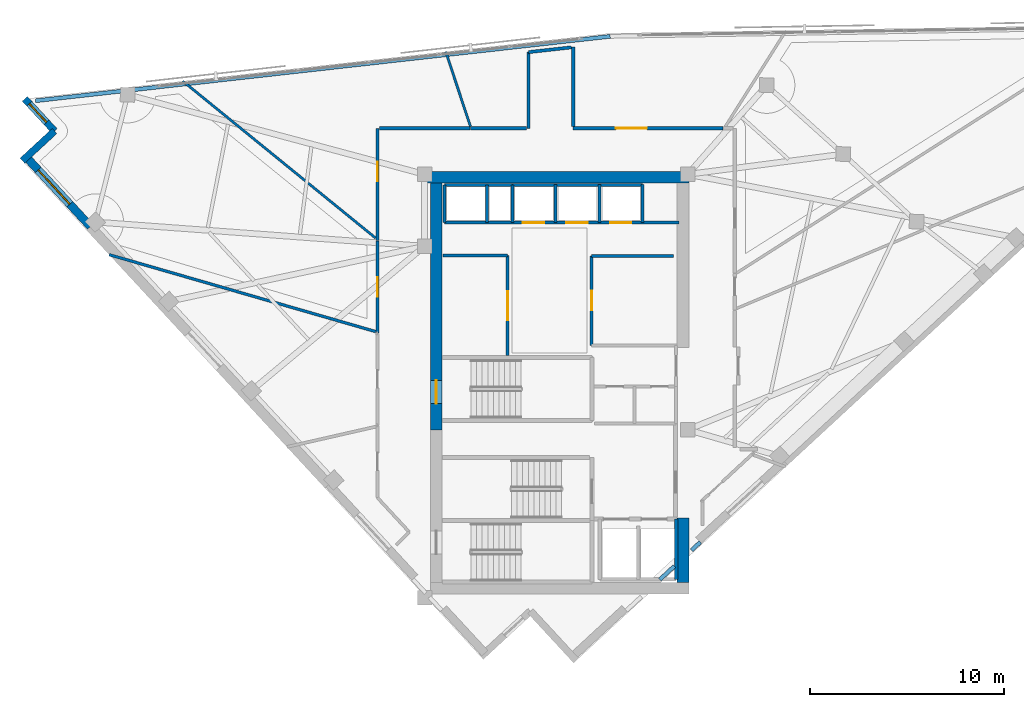
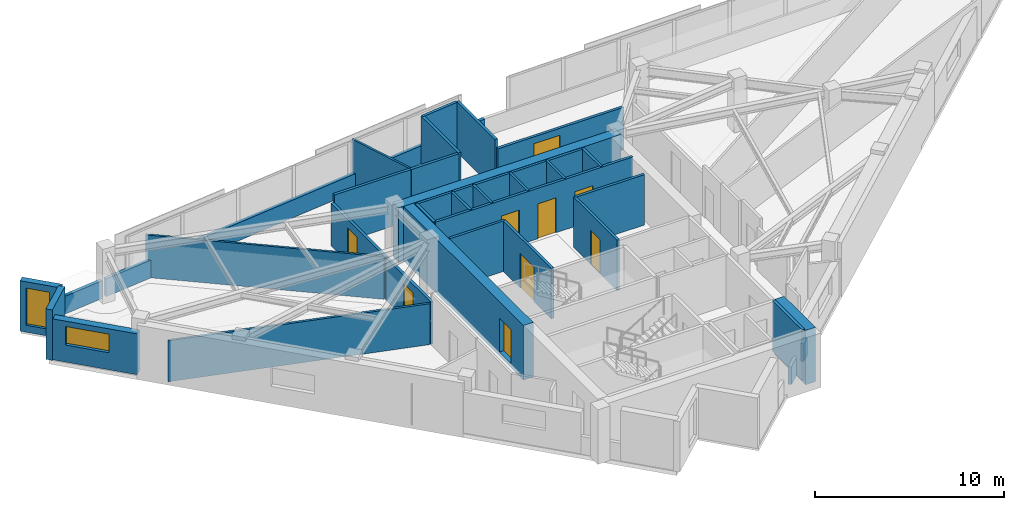
# One storey, part 9 of 13: 35 walls, 9 doors, 2 windows, 11 openings.
"""IFC4 building model written with IfcOpenShell, lengths in metres."""

from ifc_helpers import new_model, si_unit, direction, frame, frame_2d, origin, place, context, subcontext, project, spatial, rectangle, extrude, material, layer, layer_set, type_object, element, fill, save


model = new_model("IFC4")

# Units and contexts
model_context = context("Model", 3, precision=1e-05, world=origin(), true_north=direction((0.0, 1.0)))
body_context = subcontext(model_context, "Body", "Model", "MODEL_VIEW")
ifc_project = project(units=[si_unit("LENGTHUNIT", "METRE"), si_unit("AREAUNIT", "SQUARE_METRE"), si_unit("VOLUMEUNIT", "CUBIC_METRE"), si_unit("PLANEANGLEUNIT", "RADIAN"), si_unit("MASSUNIT", "GRAM", prefix="KILO")], contexts=[model_context])

# Site, building, storey
site_placement = place(None, origin())
site = spatial("IfcSite", under=ifc_project, at=site_placement, CompositionType="ELEMENT")
building_placement = place(site_placement, origin())
building = spatial("IfcBuilding", under=site, at=building_placement, Name="Narakoshi Arena Tower", CompositionType="ELEMENT")
storey_placement = place(building_placement, frame((0.0, 0.0, 281.860107421875)))
storey = spatial("IfcBuildingStorey", under=building, at=storey_placement, Name="L77", CompositionType="ELEMENT", Elevation=281.860107421875)

# Wall
ifc_material_1 = material(Name="Concrete C50/60", Category="concrete")
ifc_layer_1 = layer(ifc_material_1, 0.60009765625)
ifc_layer_set_1 = layer_set([ifc_layer_1], Name="Concrete C50/60")
wall_type_1 = type_object("IfcWallType", Name="WL-CORE-600", PredefinedType="SHEAR", material=ifc_layer_set_1)
wall_1_placement = place(storey_placement, frame((85.300048828125, 35.5, -0.260009765625), z_axis=(0.0, 0.0, 1.0), x_axis=(0.0, 1.0, 0.0)))
element("IfcWall", 1, at=wall_1_placement, inside=storey, type_object=wall_type_1, Name="L77 Central Core Shear Wall CW-APX-E", PredefinedType="SHEAR", context=body_context, shape_type="SweptSolid", body=[
    extrude(rectangle(XDim=3.300048828125, YDim=0.60009765625, at=frame_2d((1.64990234375, 0.0))), origin(), (0.0, 0.0, 1.0), 3.52001953125),
])

# Wall, opening, door
wall_2_placement = place(storey_placement, frame((72.60009765625, 43.35009765625, -0.260009765625), z_axis=(0.0, 0.0, 1.0), x_axis=(0.0, 1.0, 0.0)))
wall_2 = element("IfcWall", 2, at=wall_2_placement, inside=storey, type_object=wall_type_1, Name="L77 Main Core Shear Wall CW-MN-W", PredefinedType="SHEAR", context=body_context, shape_type="SweptSolid", body=[
    extrude(rectangle(XDim=12.699951171875, YDim=0.60009765625, at=frame_2d((6.35009765625, 0.0))), origin(), (0.0, 0.0, 1.0), 3.52001953125),
])
opening_1_placement = place(wall_2_placement, frame((1.35009765625, 0.0, 0.260009765625)))
opening_1 = element("IfcOpeningElement", 3, at=opening_1_placement, cuts=wall_2, Name="Opening D-03", PredefinedType="OPENING", context=body_context, shape_type="SweptSolid", body=[
    extrude(rectangle(XDim=1.199951171875, YDim=2.199951171875, at=frame_2d((0.60009765625, 1.10009765625))), frame((0.0, 0.31005859375, 0.0), z_axis=(0.0, -1.0, 0.0), x_axis=(1.0, 0.0, 0.0)), (0.0, 0.0, 1.0), 0.6201171875),
])
ifc_material_2 = material(Name="Painted galvanized steel", Category="steel")
door_type_1 = type_object("IfcDoorType", Name="DR-STR-1200", OperationType="NOTDEFINED", PredefinedType="USERDEFINED", material=ifc_material_2)
door_1_placement = place(opening_1_placement, frame((1.199951171875, 0.0, 0.0), z_axis=(0.0, 0.0, 1.0), x_axis=(-1.0, 0.0, 0.0)))
door_1 = element("IfcDoor", 4, at=door_1_placement, inside=storey, type_object=door_type_1, Name="DR-L77-006", ObjectType="EXITDOOR", OperationType="SINGLE_SWING_LEFT", OverallHeight=2.199951171875, OverallWidth=1.199951171875, PredefinedType="USERDEFINED", context=body_context, shape_type="SweptSolid", body=[
    extrude(rectangle(XDim=1.199951171875, YDim=2.199951171875, at=frame_2d((0.60009765625, 1.10009765625))), frame((0.0, 0.02490234375, 0.0), z_axis=(0.0, -1.0, 0.0), x_axis=(1.0, 0.0, 0.0)), (0.0, 0.0, 1.0), 0.050048828125),
])
fill(opening_1, door_1)

# Wall
wall_3_placement = place(storey_placement, frame((72.0, 56.35009765625, -0.260009765625), z_axis=(0.0, 0.0, 1.0), x_axis=(1.0, 0.0, 0.0)))
element("IfcWall", 5, at=wall_3_placement, inside=storey, type_object=wall_type_1, Name="L77 Main Core Shear Wall CW-MN-N", PredefinedType="SHEAR", context=body_context, shape_type="SweptSolid", body=[
    extrude(rectangle(XDim=13.60009765625, YDim=0.60009765625, at=frame_2d((6.800048828125, 0.0))), origin(), (0.0, 0.0, 1.0), 3.52001953125),
])

# Wall, opening, door
ifc_material_3 = material(Name="Gypsum plasterboard fire-rated partition")
ifc_layer_2 = layer(ifc_material_3, 0.1650390625)
ifc_layer_set_2 = layer_set([ifc_layer_2], Name="Gypsum plasterboard fire-rated partition")
wall_type_2 = type_object("IfcWallType", Name="WL-CORR-165", PredefinedType="PARTITIONING", material=ifc_layer_set_2)
wall_4_placement = place(storey_placement, frame((87.35546875, 58.872314453125, 0.0), z_axis=(0.0, 0.0, 1.0), x_axis=(-1.0, 0.0, 0.0)))
wall_4 = element("IfcWall", 6, at=wall_4_placement, inside=storey, type_object=wall_type_2, Name="L77 Corridor Partition 06-1", PredefinedType="PARTITIONING", context=body_context, shape_type="SweptSolid", body=[
    extrude(rectangle(XDim=7.70556640625, YDim=0.1650390625, at=frame_2d((3.852783203125, 0.0))), origin(), (0.0, 0.0, 1.0), 2.744873046875),
])
opening_2_placement = place(wall_4_placement, frame((3.90869140625, 0.0, 0.0)))
opening_2 = element("IfcOpeningElement", 7, at=opening_2_placement, cuts=wall_4, Name="Opening D-05", PredefinedType="OPENING", context=body_context, shape_type="SweptSolid", body=[
    extrude(rectangle(XDim=1.60009765625, YDim=2.300048828125, at=frame_2d((0.800048828125, 1.14990234375))), frame((0.0, 0.092529296875, 0.0), z_axis=(0.0, -1.0, 0.0), x_axis=(1.0, 0.0, 0.0)), (0.0, 0.0, 1.0), 0.18505859375),
])
ifc_material_4 = material(Name="Stained oak solid-core timber", Category="wood")
door_type_2 = type_object("IfcDoorType", Name="DR-STE-1600", OperationType="DOUBLE_DOOR_SINGLE_SWING", PredefinedType="DOOR", material=ifc_material_4)
door_2_placement = place(opening_2_placement, frame((1.60009765625, 0.0, 0.0), z_axis=(0.0, 0.0, 1.0), x_axis=(-1.0, 0.0, 0.0)))
door_2 = element("IfcDoor", 8, at=door_2_placement, inside=storey, type_object=door_type_2, Name="DR-L77-020", OperationType="DOUBLE_DOOR_SINGLE_SWING", OverallHeight=2.300048828125, OverallWidth=1.60009765625, PredefinedType="DOOR", context=body_context, shape_type="SweptSolid", body=[
    extrude(rectangle(XDim=1.60009765625, YDim=2.300048828125, at=frame_2d((0.800048828125, 1.14990234375))), frame((0.0, 0.02490234375, 0.0), z_axis=(0.0, -1.0, 0.0), x_axis=(1.0, 0.0, 0.0)), (0.0, 0.0, 1.0), 0.050048828125),
])
fill(opening_2, door_2)

# Walls
wall_5_placement = place(storey_placement, frame((79.64990234375, 58.966796875, 0.0), z_axis=(0.0, 0.0, 1.0), x_axis=(0.0, 1.0, 0.0)))
element("IfcWall", 9, at=wall_5_placement, inside=storey, type_object=wall_type_2, Name="L77 Corridor Partition 06-2", PredefinedType="PARTITIONING", context=body_context, shape_type="SweptSolid", body=[
    extrude(rectangle(XDim=4.0810546875, YDim=0.1650390625, at=frame_2d((2.04052734375, 0.0))), origin(), (0.0, 0.0, 1.0), 3.260009765625),
])
wall_6_placement = place(storey_placement, frame((77.35009765625, 62.7900390625, 0.0), z_axis=(0.0, 0.0, 1.0), x_axis=(0.0, -1.0, 0.0)))
element("IfcWall", 10, at=wall_6_placement, inside=storey, type_object=wall_type_2, Name="L77 Corridor Partition 06-3", PredefinedType="PARTITIONING", context=body_context, shape_type="SweptSolid", body=[
    extrude(rectangle(XDim=3.917724609375, YDim=0.1650390625, at=frame_2d((1.958984375, 0.0))), origin(), (0.0, 0.0, 1.0), 3.260009765625),
])
wall_7_placement = place(storey_placement, frame((77.255615234375, 58.872314453125, 0.0), z_axis=(0.0, 0.0, 1.0), x_axis=(-1.0, 0.0, 0.0)))
element("IfcWall", 11, at=wall_7_placement, inside=storey, type_object=wall_type_2, Name="L77 Corridor Partition 06-4", PredefinedType="PARTITIONING", context=body_context, shape_type="SweptSolid", body=[
    extrude(rectangle(XDim=2.896728515625, YDim=0.1650390625, at=frame_2d((1.4482421875, 0.0))), origin(), (0.0, 0.0, 1.0), 3.260009765625),
])
wall_8_placement = place(storey_placement, frame((79.555419921875, 63.037353515625, 0.0), z_axis=(0.0, 0.0, 1.0), x_axis=(-0.993770518254, -0.11144575833, 0.0)))
element("IfcWall", 12, at=wall_8_placement, inside=storey, type_object=wall_type_2, Name="L77 Corridor Partition 06-5", PredefinedType="PARTITIONING", context=body_context, shape_type="SweptSolid", body=[
    extrude(rectangle(XDim=2.21923828125, YDim=0.1650390625, at=frame_2d((1.109619140625, 0.0))), origin(), (0.0, 0.0, 1.0), 3.260009765625),
])

# Wall, opening, door
wall_9_placement = place(storey_placement, frame((69.577880859375, 58.872314453125, 0.0), z_axis=(0.0, 0.0, 1.0), x_axis=(0.0, -1.0, 0.0)))
wall_9 = element("IfcWall", 13, at=wall_9_placement, inside=storey, type_object=wall_type_2, Name="L77 Corridor Partition 07-1", PredefinedType="PARTITIONING", context=body_context, shape_type="SweptSolid", body=[
    extrude(rectangle(XDim=5.775634765625, YDim=0.1650390625, at=frame_2d((2.8876953125, 0.0))), origin(), (0.0, 0.0, 1.0), 2.744873046875),
])
opening_3_placement = place(wall_9_placement, frame((1.7314453125, 0.0, 0.0)))
opening_3 = element("IfcOpeningElement", 14, at=opening_3_placement, cuts=wall_9, Name="Opening D-06", PredefinedType="OPENING", context=body_context, shape_type="SweptSolid", body=[
    extrude(rectangle(XDim=1.0, YDim=2.199951171875, at=frame_2d((0.5, 1.10009765625))), frame((0.0, 0.092529296875, 0.0), z_axis=(0.0, -1.0, 0.0), x_axis=(1.0, 0.0, 0.0)), (0.0, 0.0, 1.0), 0.18505859375),
])
door_type_3 = type_object("IfcDoorType", Name="DR-OFF-1000", OperationType="NOTDEFINED", PredefinedType="DOOR", material=ifc_material_4)
door_3_placement = place(opening_3_placement, frame((1.0, 0.0, 0.0), z_axis=(0.0, 0.0, 1.0), x_axis=(-1.0, 0.0, 0.0)))
door_3 = element("IfcDoor", 15, at=door_3_placement, inside=storey, type_object=door_type_3, Name="DR-L77-021", OperationType="SINGLE_SWING_LEFT", OverallHeight=2.199951171875, OverallWidth=1.0, PredefinedType="DOOR", context=body_context, shape_type="SweptSolid", body=[
    extrude(rectangle(XDim=1.0, YDim=2.199951171875, at=frame_2d((0.5, 1.10009765625))), frame((0.0, 0.02490234375, 0.0), z_axis=(0.0, -1.0, 0.0), x_axis=(1.0, 0.0, 0.0)), (0.0, 0.0, 1.0), 0.050048828125),
])
fill(opening_3, door_3)

# Wall
wall_10_placement = place(storey_placement, frame((74.33349609375, 58.872314453125, 0.0), z_axis=(0.0, 0.0, 1.0), x_axis=(-1.0, 0.0, 0.0)))
element("IfcWall", 16, at=wall_10_placement, inside=storey, type_object=wall_type_2, Name="L77 Corridor Partition 07-2", PredefinedType="PARTITIONING", context=body_context, shape_type="SweptSolid", body=[
    extrude(rectangle(XDim=4.6611328125, YDim=0.1650390625, at=frame_2d((2.33056640625, 0.0))), origin(), (0.0, 0.0, 1.0), 3.260009765625),
])

# Wall, opening, door
wall_11_placement = place(storey_placement, frame((69.577880859375, 53.06591796875, 0.0), z_axis=(0.0, 0.0, 1.0), x_axis=(0.0, -1.0, 0.0)))
wall_11 = element("IfcWall", 17, at=wall_11_placement, inside=storey, type_object=wall_type_2, Name="L77 Corridor Partition 08-1", PredefinedType="PARTITIONING", context=body_context, shape_type="SweptSolid", body=[
    extrude(rectangle(XDim=4.723876953125, YDim=0.1650390625, at=frame_2d((2.36181640625, 0.0))), origin(), (0.0, 0.0, 1.0), 2.744873046875),
])
opening_4_placement = place(wall_11_placement, frame((1.862060546875, 0.0, 0.0)))
opening_4 = element("IfcOpeningElement", 18, at=opening_4_placement, cuts=wall_11, Name="Opening D-06", PredefinedType="OPENING", context=body_context, shape_type="SweptSolid", body=[
    extrude(rectangle(XDim=1.0, YDim=2.199951171875, at=frame_2d((0.5, 1.10009765625))), frame((0.0, 0.092529296875, 0.0), z_axis=(0.0, -1.0, 0.0), x_axis=(1.0, 0.0, 0.0)), (0.0, 0.0, 1.0), 0.18505859375),
])
door_4_placement = place(opening_4_placement, frame((1.0, 0.0, 0.0), z_axis=(0.0, 0.0, 1.0), x_axis=(-1.0, 0.0, 0.0)))
door_4 = element("IfcDoor", 19, at=door_4_placement, inside=storey, type_object=door_type_3, Name="DR-L77-022", OperationType="SINGLE_SWING_RIGHT", OverallHeight=2.199951171875, OverallWidth=1.0, PredefinedType="DOOR", context=body_context, shape_type="SweptSolid", body=[
    extrude(rectangle(XDim=1.0, YDim=2.199951171875, at=frame_2d((0.5, 1.10009765625))), frame((0.0, 0.02490234375, 0.0), z_axis=(0.0, -1.0, 0.0), x_axis=(1.0, 0.0, 0.0)), (0.0, 0.0, 1.0), 0.050048828125),
])
fill(opening_4, door_4)

# Walls
ifc_material_5 = material(Name="Precast concrete C45/55", Category="concrete")
ifc_layer_3 = layer(ifc_material_5, 0.25)
ifc_layer_set_3 = layer_set([ifc_layer_3], Name="Precast concrete C45/55")
wall_type_3 = type_object("IfcWallType", Name="WL-PARA-250", PredefinedType="PARAPET", material=ifc_layer_set_3)
wall_12_placement = place(storey_placement, frame((81.556640625, 63.603759765625, 0.0), z_axis=(0.0, 0.0, 1.0), x_axis=(-0.993776455024, -0.111392806945, 0.0)))
element("IfcWall", 20, at=wall_12_placement, inside=storey, type_object=wall_type_3, Name="L77 Hypotenuse Sill Upstand Parapet 2-01", PredefinedType="PARAPET", context=body_context, shape_type="SweptSolid", body=[
    extrude(rectangle(XDim=24.891357421875, YDim=0.199951171875, at=frame_2d((12.44580078125, 0.0))), origin(), (0.0, 0.0, 1.0), 1.14990234375),
])
wall_13_placement = place(storey_placement, frame((56.565185546875, 60.802490234375, 0.0), z_axis=(0.0, 0.0, 1.0), x_axis=(-0.99377164586, -0.111435702918, 0.0)))
element("IfcWall", 21, at=wall_13_placement, inside=storey, type_object=wall_type_3, Name="L77 Hypotenuse Sill Upstand Parapet 2-02", PredefinedType="PARAPET", context=body_context, shape_type="SweptSolid", body=[
    extrude(rectangle(XDim=4.6162109375, YDim=0.199951171875, at=frame_2d((2.30810546875, 0.0))), origin(), (0.0, 0.0, 1.0), 1.14990234375),
])
wall_14_placement = place(storey_placement, frame((86.191650390625, 37.56591796875, 0.0), z_axis=(0.0, 0.0, 1.0), x_axis=(-0.734346728958, -0.678774544064, 0.0)))
element("IfcWall", 22, at=wall_14_placement, inside=storey, type_object=wall_type_3, Name="L77 Crown Sill Upstand Parapet 03", PredefinedType="PARAPET", context=body_context, shape_type="SweptSolid", body=[
    extrude(rectangle(XDim=0.614990234375, YDim=0.199951171875, at=frame_2d((0.3076171875, 0.0))), origin(), (0.0, 0.0, 1.0), 1.14990234375),
])
wall_15_placement = place(storey_placement, frame((84.860107421875, 36.3349609375, 0.0), z_axis=(0.0, 0.0, 1.0), x_axis=(-0.734337093013, -0.678784968768, 0.0)))
element("IfcWall", 23, at=wall_15_placement, inside=storey, type_object=wall_type_3, Name="L77 Crown Sill Upstand Parapet 04", PredefinedType="PARAPET", context=body_context, shape_type="SweptSolid", body=[
    extrude(rectangle(XDim=1.02392578125, YDim=0.199951171875, at=frame_2d((0.511962890625, 0.0))), origin(), (0.0, 0.0, 1.0), 1.14990234375),
])
ifc_layer_4 = layer(ifc_material_3, 0.125)
ifc_layer_set_4 = layer_set([ifc_layer_4], Name="Gypsum plasterboard fire-rated partition")
wall_type_4 = type_object("IfcWallType", Name="WL-PART-125", PredefinedType="PARTITIONING", material=ifc_layer_set_4)
wall_16_placement = place(storey_placement, frame((74.3623046875, 58.966796875, 0.0), z_axis=(0.0, 0.0, 1.0), x_axis=(-0.313552340659, 0.949570918714, 0.0)))
element("IfcWall", 24, at=wall_16_placement, inside=storey, type_object=wall_type_4, Name="L77 Inter-Room Partition 06-07", PredefinedType="PARTITIONING", context=body_context, shape_type="SweptSolid", body=[
    extrude(rectangle(XDim=4.053466796875, YDim=0.125, at=frame_2d((2.02685546875, 0.0))), origin(), (0.0, 0.0, 1.0), 3.260009765625),
])
wall_17_placement = place(storey_placement, frame((69.4833984375, 53.219970703125, 0.0), z_axis=(0.0, 0.0, 1.0), x_axis=(-0.775619555182, 0.631200685693, 0.0)))
element("IfcWall", 25, at=wall_17_placement, inside=storey, type_object=wall_type_4, Name="L77 Inter-Room Partition 07-08", PredefinedType="PARTITIONING", context=body_context, shape_type="SweptSolid", body=[
    extrude(rectangle(XDim=12.798828125, YDim=0.125, at=frame_2d((6.3994140625, 0.0))), origin(), (0.0, 0.0, 1.0), 2.744873046875),
])

# Wall, opening, window
ifc_layer_5 = layer(ifc_material_5, 0.419921875)
ifc_layer_set_5 = layer_set([ifc_layer_5], Name="Precast concrete C45/55")
wall_type_5 = type_object("IfcWallType", Name="WL-POD-420", PredefinedType="SOLIDWALL", material=ifc_layer_set_5)
wall_18_placement = place(storey_placement, frame((51.5, 57.38720703125, 0.0), z_axis=(0.0, 0.0, 1.0), x_axis=(0.67880684669, -0.734316869537, 0.0)))
wall_18 = element("IfcWall", 26, at=wall_18_placement, inside=storey, type_object=wall_type_5, Name="L77 Architectural Concrete Facade Wall LEGB-1", PredefinedType="SOLIDWALL", context=body_context, shape_type="SweptSolid", body=[
    extrude(rectangle(XDim=4.86865234375, YDim=0.419921875, at=frame_2d((2.434326171875, 0.0))), origin(), (0.0, 0.0, 1.0), 2.644775390625),
])
opening_5_placement = place(wall_18_placement, frame((0.89990234375, 0.0, 1.10009765625)))
opening_5 = element("IfcOpeningElement", 27, at=opening_5_placement, cuts=wall_18, Name="Opening WN-04", PredefinedType="OPENING", context=body_context, shape_type="SweptSolid", body=[
    extrude(rectangle(XDim=2.39990234375, YDim=1.199951171875, at=frame_2d((1.199951171875, 0.60009765625))), frame((0.0, 0.219970703125, 0.0), z_axis=(0.0, -1.0, 0.0), x_axis=(1.0, 0.0, 0.0)), (0.0, 0.0, 1.0), 0.43994140625),
])
ifc_material_6 = material(Name="Bronze-tinted low-E laminated glass", Category="glass")
window_type_1 = type_object("IfcWindowType", Name="WIN-SLT-24x12", PartitioningType="SINGLE_PANEL", PredefinedType="WINDOW", material=ifc_material_6)
window_1_placement = place(opening_5_placement, origin())
window_1 = element("IfcWindow", 28, at=window_1_placement, inside=storey, type_object=window_type_1, Name="L77 LEGB1 Horizontal Slot Window 1", OverallHeight=1.199951171875, OverallWidth=2.39990234375, PartitioningType="SINGLE_PANEL", PredefinedType="WINDOW", context=body_context, shape_type="SweptSolid", body=[
    extrude(rectangle(XDim=2.39990234375, YDim=1.199951171875, at=frame_2d((1.199951171875, 0.60009765625))), frame((0.0, 0.030029296875, 0.0), z_axis=(0.0, -1.0, 0.0), x_axis=(1.0, 0.0, 0.0)), (0.0, 0.0, 1.0), 0.06005859375),
])
fill(opening_5, window_1)

wall_19_placement = place(storey_placement, frame((51.42333984375, 60.38720703125, 0.0), z_axis=(0.0, 0.0, 1.0), x_axis=(0.678792531533, -0.734330102294, 0.0)))
wall_19 = element("IfcWall", 29, at=wall_19_placement, inside=storey, type_object=wall_type_5, Name="L77 Re-Entrant Corner Notch Wall NTN-1", PredefinedType="SOLIDWALL", context=body_context, shape_type="SweptSolid", body=[
    extrude(rectangle(XDim=2.255126953125, YDim=0.360107421875, at=frame_2d((1.12744140625, 0.0))), origin(), (0.0, 0.0, 1.0), 3.260009765625),
])
opening_6_placement = place(wall_19_placement, frame((0.340087890625, 0.0, 0.449951171875)))
opening_6 = element("IfcOpeningElement", 30, at=opening_6_placement, cuts=wall_19, Name="Opening WN-06", PredefinedType="OPENING", context=body_context, shape_type="SweptSolid", body=[
    extrude(rectangle(XDim=1.300048828125, YDim=2.39990234375, at=frame_2d((0.64990234375, 1.199951171875))), frame((0.0, 0.18994140625, 0.0), z_axis=(0.0, -1.0, 0.0), x_axis=(1.0, 0.0, 0.0)), (0.0, 0.0, 1.0), 0.380126953125),
])
window_type_2 = type_object("IfcWindowType", Name="WIN-NTC-16x24", PartitioningType="SINGLE_PANEL", PredefinedType="WINDOW", material=ifc_material_6)
window_2_placement = place(opening_6_placement, origin())
window_2 = element("IfcWindow", 31, at=window_2_placement, inside=storey, type_object=window_type_2, Name="L77 Corner Notch Window NTN", OverallHeight=2.39990234375, OverallWidth=1.300048828125, PartitioningType="SINGLE_PANEL", PredefinedType="WINDOW", context=body_context, shape_type="SweptSolid", body=[
    extrude(rectangle(XDim=1.300048828125, YDim=2.39990234375, at=frame_2d((0.64990234375, 1.199951171875))), frame((0.0, 0.030029296875, 0.0), z_axis=(0.0, -1.0, 0.0), x_axis=(1.0, 0.0, 0.0)), (0.0, 0.0, 1.0), 0.06005859375),
])
fill(opening_6, window_2)

# Walls
wall_20_placement = place(storey_placement, frame((52.9541015625, 58.731201171875, 0.0), z_axis=(0.0, 0.0, 1.0), x_axis=(-0.734330102294, -0.678792531533, 0.0)))
element("IfcWall", 32, at=wall_20_placement, inside=storey, type_object=wall_type_5, Name="L77 Re-Entrant Corner Notch Wall NTN-2", PredefinedType="SOLIDWALL", context=body_context, shape_type="SweptSolid", body=[
    extrude(rectangle(XDim=2.255126953125, YDim=0.360107421875, at=frame_2d((1.12744140625, 0.0))), origin(), (0.0, 0.0, 1.0), 3.260009765625),
])
ifc_material_7 = material(Name="Concrete C40/50", Category="concrete")
ifc_layer_6 = layer(ifc_material_7, 0.280029296875)
ifc_layer_set_6 = layer_set([ifc_layer_6], Name="Concrete C40/50")
wall_type_6 = type_object("IfcWallType", Name="WL-RISER-280", PredefinedType="PLUMBINGWALL", material=ifc_layer_set_6)
for number, where, z_axis, x_axis, name in (
    (33, (73.02001953125, 54.02001953125, 0.0), (0.0, 0.0, 1.0), (0.0, 1.0, 0.0), "L77 Core Wall OBS-W"),
    (34, (75.219970703125, 54.02001953125, 0.0), (0.0, 0.0, 1.0), (0.0, 1.0, 0.0), "L77 Core Wall OBS-M"),
):
    element("IfcWall", number, at=place(storey_placement, frame(where, z_axis=z_axis, x_axis=x_axis)), inside=storey, type_object=wall_type_6, Name=name, PredefinedType="PLUMBINGWALL", context=body_context, shape_type="SweptSolid", body=[
        extrude(rectangle(XDim=1.93994140625, YDim=0.14990234375, at=frame_2d((0.969970703125, 0.0))), origin(), (0.0, 0.0, 1.0), 3.260009765625),
    ])
for number, where, z_axis, x_axis, name in (
    (35, (78.75, 54.02001953125, 0.0), (0.0, 0.0, 1.0), (0.0, 1.0, 0.0), "L77 Core Wall HR-D1"),
    (36, (81.0, 54.02001953125, 0.0), (0.0, 0.0, 1.0), (0.0, 1.0, 0.0), "L77 Core Wall HR-D2"),
):
    element("IfcWall", number, at=place(storey_placement, frame(where, z_axis=z_axis, x_axis=x_axis)), inside=storey, type_object=wall_type_6, Name=name, PredefinedType="PLUMBINGWALL", context=body_context, shape_type="SweptSolid", body=[
        extrude(rectangle(XDim=1.9599609375, YDim=0.14990234375, at=frame_2d((0.97998046875, 0.0))), origin(), (0.0, 0.0, 1.0), 3.260009765625),
    ])
ifc_layer_7 = layer(ifc_material_1, 0.35009765625)
ifc_layer_set_7 = layer_set([ifc_layer_7], Name="Concrete C50/60")
wall_type_7 = type_object("IfcWallType", Name="WL-SHAFT-350", PredefinedType="SOLIDWALL", material=ifc_layer_set_7)
wall_21_placement = place(storey_placement, frame((84.949951171875, 35.64990234375, 0.0), z_axis=(0.0, 0.0, 1.0), x_axis=(0.0, 1.0, 0.0)))
element("IfcWall", 37, at=wall_21_placement, inside=storey, type_object=wall_type_7, Name="L77 Core Wall FF-E", PredefinedType="SOLIDWALL", context=body_context, shape_type="SweptSolid", body=[
    extrude(rectangle(XDim=3.10009765625, YDim=0.179931640625, at=frame_2d((1.550048828125, 0.0))), origin(), (0.0, 0.0, 1.0), 3.260009765625),
])

# Wall, opening, door
wall_22_placement = place(storey_placement, frame((76.280029296875, 47.179931640625, 0.0), z_axis=(0.0, 0.0, 1.0), x_axis=(0.0, 1.0, 0.0)))
wall_22 = element("IfcWall", 38, at=wall_22_placement, inside=storey, type_object=wall_type_7, Name="L77 Core Wall LR-E", PredefinedType="SOLIDWALL", context=body_context, shape_type="SweptSolid", body=[
    extrude(rectangle(XDim=5.14013671875, YDim=0.159912109375, at=frame_2d((2.570068359375, 0.0))), origin(), (0.0, 0.0, 1.0), 3.260009765625),
])
opening_7_placement = place(wall_22_placement, frame((1.800048828125, 0.0, 0.0)))
opening_7 = element("IfcOpeningElement", 39, at=opening_7_placement, cuts=wall_22, Name="Opening D-09", PredefinedType="OPENING", context=body_context, shape_type="SweptSolid", body=[
    extrude(rectangle(XDim=1.5, YDim=2.25, at=frame_2d((0.75, 1.125))), frame((0.0, 0.08984375, 0.0), z_axis=(0.0, -1.0, 0.0), x_axis=(1.0, 0.0, 0.0)), (0.0, 0.0, 1.0), 0.179931640625),
])
door_type_4 = type_object("IfcDoorType", Name="DR-PLT-1500", OperationType="DOUBLE_DOOR_SINGLE_SWING", PredefinedType="DOOR", material=ifc_material_2)
door_5_placement = place(opening_7_placement, frame((1.5, 0.0, 0.0), z_axis=(0.0, 0.0, 1.0), x_axis=(-1.0, 0.0, 0.0)))
door_5 = element("IfcDoor", 40, at=door_5_placement, inside=storey, type_object=door_type_4, Name="DR-L77-010", OperationType="DOUBLE_DOOR_SINGLE_SWING", OverallHeight=2.25, OverallWidth=1.5, PredefinedType="DOOR", context=body_context, shape_type="SweptSolid", body=[
    extrude(rectangle(XDim=1.5, YDim=2.25, at=frame_2d((0.75, 1.125))), frame((0.0, 0.02490234375, 0.0), z_axis=(0.0, -1.0, 0.0), x_axis=(1.0, 0.0, 0.0)), (0.0, 0.0, 1.0), 0.050048828125),
])
fill(opening_7, door_5)

# Wall
wall_23_placement = place(storey_placement, frame((72.949951171875, 52.320068359375, 0.0), z_axis=(0.0, 0.0, 1.0), x_axis=(1.0, 0.0, 0.0)))
element("IfcWall", 41, at=wall_23_placement, inside=storey, type_object=wall_type_7, Name="L77 Core Wall LR-N", PredefinedType="SOLIDWALL", context=body_context, shape_type="SweptSolid", body=[
    extrude(rectangle(XDim=3.330078125, YDim=0.14990234375, at=frame_2d((1.6650390625, 0.0))), origin(), (0.0, 0.0, 1.0), 3.260009765625),
])

# Wall, opening, door
wall_24_placement = place(storey_placement, frame((80.60009765625, 47.699951171875, 0.0), z_axis=(0.0, 0.0, 1.0), x_axis=(0.0, 1.0, 0.0)))
wall_24 = element("IfcWall", 42, at=wall_24_placement, inside=storey, type_object=wall_type_7, Name="L77 Core Wall MR-W", PredefinedType="SOLIDWALL", context=body_context, shape_type="SweptSolid", body=[
    extrude(rectangle(XDim=4.60009765625, YDim=0.159912109375, at=frame_2d((2.300048828125, 0.0))), origin(), (0.0, 0.0, 1.0), 3.260009765625),
])
opening_8_placement = place(wall_24_placement, frame((1.800048828125, 0.0, 0.0)))
opening_8 = element("IfcOpeningElement", 43, at=opening_8_placement, cuts=wall_24, Name="Opening D-06", PredefinedType="OPENING", context=body_context, shape_type="SweptSolid", body=[
    extrude(rectangle(XDim=1.0, YDim=2.199951171875, at=frame_2d((0.5, 1.10009765625))), frame((0.0, 0.08984375, 0.0), z_axis=(0.0, -1.0, 0.0), x_axis=(1.0, 0.0, 0.0)), (0.0, 0.0, 1.0), 0.179931640625),
])
door_6_placement = place(opening_8_placement, origin())
door_6 = element("IfcDoor", 44, at=door_6_placement, inside=storey, type_object=door_type_3, Name="DR-L77-011", OperationType="SINGLE_SWING_LEFT", OverallHeight=2.199951171875, OverallWidth=1.0, PredefinedType="DOOR", context=body_context, shape_type="SweptSolid", body=[
    extrude(rectangle(XDim=1.0, YDim=2.199951171875, at=frame_2d((0.5, 1.10009765625))), frame((0.0, 0.02490234375, 0.0), z_axis=(0.0, -1.0, 0.0), x_axis=(1.0, 0.0, 0.0)), (0.0, 0.0, 1.0), 0.050048828125),
])
fill(opening_8, door_6)

# Wall
wall_25_placement = place(storey_placement, frame((80.60009765625, 52.300048828125, 0.0), z_axis=(0.0, 0.0, 1.0), x_axis=(1.0, 0.0, 0.0)))
element("IfcWall", 45, at=wall_25_placement, inside=storey, type_object=wall_type_7, Name="L77 Core Wall MR-N", PredefinedType="SOLIDWALL", context=body_context, shape_type="SweptSolid", body=[
    extrude(rectangle(XDim=4.219970703125, YDim=0.159912109375, at=frame_2d((2.10986328125, 0.0))), origin(), (0.0, 0.0, 1.0), 3.260009765625),
])

# Wall, openings, doors
wall_26_placement = place(storey_placement, frame((73.02001953125, 54.02001953125, 0.0), z_axis=(0.0, 0.0, 1.0), x_axis=(1.0, 0.0, 0.0)))
wall_26 = element("IfcWall", 46, at=wall_26_placement, inside=storey, type_object=wall_type_7, Name="L77 Core Wall NSHF-S", PredefinedType="SOLIDWALL", context=body_context, shape_type="SweptSolid", body=[
    extrude(rectangle(XDim=12.080078125, YDim=0.159912109375, at=frame_2d((6.0400390625, 0.0))), origin(), (0.0, 0.0, 1.0), 3.260009765625),
])
opening_9_placement = place(wall_26_placement, frame((4.030029296875, 0.0, 0.0)))
opening_9 = element("IfcOpeningElement", 47, at=opening_9_placement, cuts=wall_26, Name="Opening LD-01", PredefinedType="OPENING", context=body_context, shape_type="SweptSolid", body=[
    extrude(rectangle(XDim=1.10009765625, YDim=2.25, at=frame_2d((0.550048828125, 1.125))), frame((0.0, 0.08984375, 0.0), z_axis=(0.0, -1.0, 0.0), x_axis=(1.0, 0.0, 0.0)), (0.0, 0.0, 1.0), 0.179931640625),
])
opening_10_placement = place(wall_26_placement, frame((6.280029296875, 0.0, 0.0)))
opening_10 = element("IfcOpeningElement", 48, at=opening_10_placement, cuts=wall_26, Name="Opening LD-01", PredefinedType="OPENING", context=body_context, shape_type="SweptSolid", body=[
    extrude(rectangle(XDim=1.10009765625, YDim=2.25, at=frame_2d((0.550048828125, 1.125))), frame((0.0, 0.08984375, 0.0), z_axis=(0.0, -1.0, 0.0), x_axis=(1.0, 0.0, 0.0)), (0.0, 0.0, 1.0), 0.179931640625),
])
opening_11_placement = place(wall_26_placement, frame((8.530029296875, 0.0, 0.0)))
opening_11 = element("IfcOpeningElement", 49, at=opening_11_placement, cuts=wall_26, Name="Opening LD-01", PredefinedType="OPENING", context=body_context, shape_type="SweptSolid", body=[
    extrude(rectangle(XDim=1.10009765625, YDim=2.25, at=frame_2d((0.550048828125, 1.125))), frame((0.0, 0.08984375, 0.0), z_axis=(0.0, -1.0, 0.0), x_axis=(1.0, 0.0, 0.0)), (0.0, 0.0, 1.0), 0.179931640625),
])
ifc_material_8 = material(Name="Brushed bronze stainless steel", Category="steel")
door_type_5 = type_object("IfcDoorType", Name="DR-LFT-1100", OperationType="DOUBLE_DOOR_SLIDING", PredefinedType="DOOR", material=ifc_material_8)
door_7_placement = place(opening_9_placement, origin())
door_7 = element("IfcDoor", 50, at=door_7_placement, inside=storey, type_object=door_type_5, Name="DR-L77-012", OperationType="DOUBLE_DOOR_SLIDING", OverallHeight=2.25, OverallWidth=1.10009765625, PredefinedType="DOOR", context=body_context, shape_type="SweptSolid", body=[
    extrude(rectangle(XDim=1.10009765625, YDim=2.25, at=frame_2d((0.550048828125, 1.125))), frame((0.0, 0.02490234375, 0.0), z_axis=(0.0, -1.0, 0.0), x_axis=(1.0, 0.0, 0.0)), (0.0, 0.0, 1.0), 0.050048828125),
])
fill(opening_9, door_7)
door_8_placement = place(opening_10_placement, origin())
door_8 = element("IfcDoor", 51, at=door_8_placement, inside=storey, type_object=door_type_5, Name="DR-L77-013", OperationType="DOUBLE_DOOR_SLIDING", OverallHeight=2.25, OverallWidth=1.10009765625, PredefinedType="DOOR", context=body_context, shape_type="SweptSolid", body=[
    extrude(rectangle(XDim=1.10009765625, YDim=2.25, at=frame_2d((0.550048828125, 1.125))), frame((0.0, 0.02490234375, 0.0), z_axis=(0.0, -1.0, 0.0), x_axis=(1.0, 0.0, 0.0)), (0.0, 0.0, 1.0), 0.050048828125),
])
fill(opening_10, door_8)
door_9_placement = place(opening_11_placement, origin())
door_9 = element("IfcDoor", 52, at=door_9_placement, inside=storey, type_object=door_type_5, Name="DR-L77-014", OperationType="DOUBLE_DOOR_SLIDING", OverallHeight=2.25, OverallWidth=1.10009765625, PredefinedType="DOOR", context=body_context, shape_type="SweptSolid", body=[
    extrude(rectangle(XDim=1.10009765625, YDim=2.25, at=frame_2d((0.550048828125, 1.125))), frame((0.0, 0.02490234375, 0.0), z_axis=(0.0, -1.0, 0.0), x_axis=(1.0, 0.0, 0.0)), (0.0, 0.0, 1.0), 0.050048828125),
])
fill(opening_11, door_9)

# Walls
wall_27_placement = place(storey_placement, frame((73.02001953125, 55.9599609375, 0.0), z_axis=(0.0, 0.0, 1.0), x_axis=(1.0, 0.0, 0.0)))
element("IfcWall", 53, at=wall_27_placement, inside=storey, type_object=wall_type_7, Name="L77 Core Wall OBS-N", PredefinedType="SOLIDWALL", context=body_context, shape_type="SweptSolid", body=[
    extrude(rectangle(XDim=3.5, YDim=0.14990234375, at=frame_2d((1.75, 0.0))), origin(), (0.0, 0.0, 1.0), 3.260009765625),
])
wall_28_placement = place(storey_placement, frame((76.52001953125, 54.02001953125, 0.0), z_axis=(0.0, 0.0, 1.0), x_axis=(0.0, 1.0, 0.0)))
element("IfcWall", 54, at=wall_28_placement, inside=storey, type_object=wall_type_7, Name="L77 Core Wall OBS-E", PredefinedType="SOLIDWALL", context=body_context, shape_type="SweptSolid", body=[
    extrude(rectangle(XDim=1.93994140625, YDim=0.14990234375, at=frame_2d((0.969970703125, 0.0))), origin(), (0.0, 0.0, 1.0), 3.260009765625),
])
wall_29_placement = place(storey_placement, frame((83.219970703125, 54.02001953125, 0.0), z_axis=(0.0, 0.0, 1.0), x_axis=(0.0, 1.0, 0.0)))
element("IfcWall", 55, at=wall_29_placement, inside=storey, type_object=wall_type_7, Name="L77 Core Wall HR-E", PredefinedType="SOLIDWALL", context=body_context, shape_type="SweptSolid", body=[
    extrude(rectangle(XDim=1.9599609375, YDim=0.14990234375, at=frame_2d((0.97998046875, 0.0))), origin(), (0.0, 0.0, 1.0), 3.260009765625),
])
wall_30_placement = place(storey_placement, frame((76.52001953125, 55.9599609375, 0.0), z_axis=(0.0, 0.0, 1.0), x_axis=(1.0, 0.0, 0.0)))
element("IfcWall", 56, at=wall_30_placement, inside=storey, type_object=wall_type_7, Name="L77 Core Wall HR-N", PredefinedType="SOLIDWALL", context=body_context, shape_type="SweptSolid", body=[
    extrude(rectangle(XDim=6.699951171875, YDim=0.14990234375, at=frame_2d((3.35009765625, 0.0))), origin(), (0.0, 0.0, 1.0), 3.260009765625),
])
ifc_material_9 = material(Name="Moisture-resistant cement-board partition")
ifc_layer_8 = layer(ifc_material_9, 0.14501953125)
ifc_layer_set_8 = layer_set([ifc_layer_8], Name="Moisture-resistant cement-board partition")
wall_type_8 = type_object("IfcWallType", Name="WL-WET-145", PredefinedType="PARTITIONING", material=ifc_layer_set_8)
wall_31_placement = place(storey_placement, frame((69.4833984375, 48.406982421875, 0.0), z_axis=(0.0, 0.0, 1.0), x_axis=(-0.960799062269, 0.277245670738, 0.0)))
element("IfcWall", 57, at=wall_31_placement, inside=storey, type_object=wall_type_8, Name="L77 Inter-Room Partition 08-09", PredefinedType="PARTITIONING", context=body_context, shape_type="SweptSolid", body=[
    extrude(rectangle(XDim=14.2744140625, YDim=0.14501953125, at=frame_2d((7.13720703125, 0.0))), origin(), (0.0, 0.0, 1.0), 2.644775390625),
])

save(model, "model.ifc")
